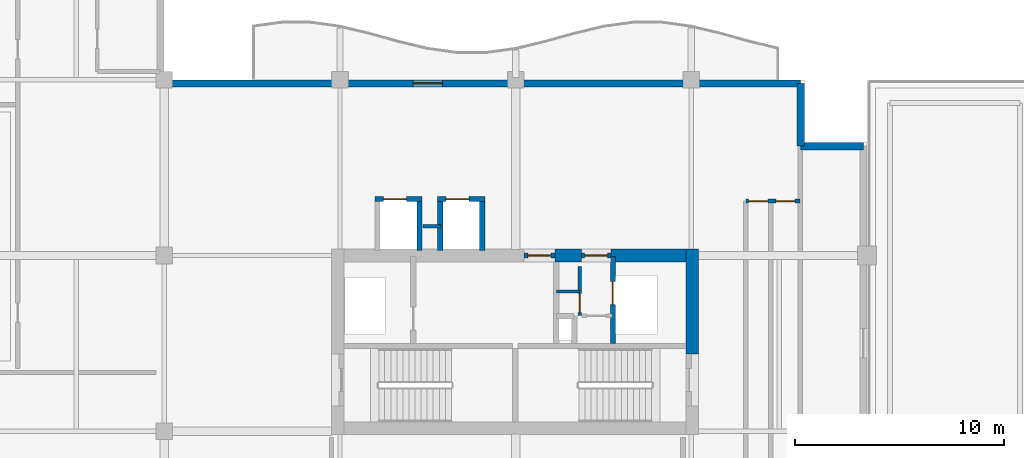
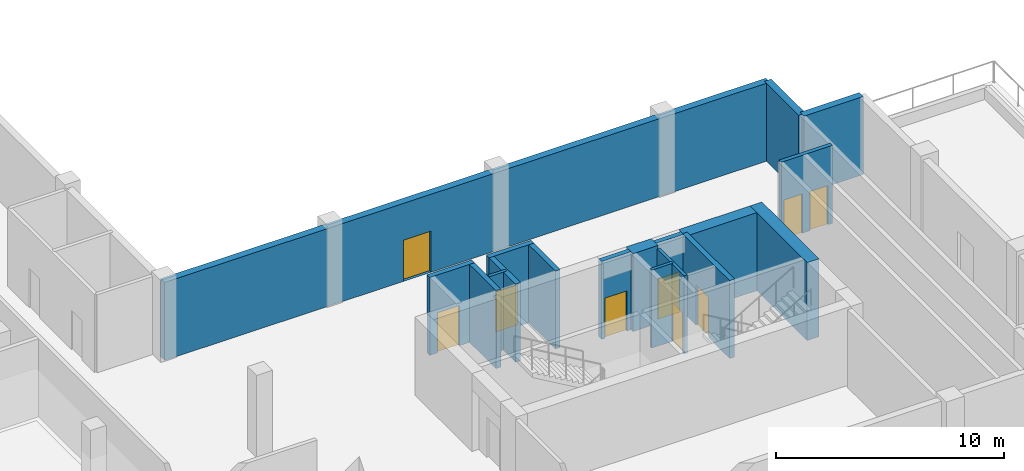
# One storey, part 7 of 16: 18 walls, 9 doors, 9 openings.
"""IFC4 building model written with IfcOpenShell, lengths in metres."""

from ifc_helpers import new_model, si_unit, direction, frame, frame_2d, origin, place, context, subcontext, project, spatial, rectangle, extrude, material, layer, layer_set, type_object, element, fill, save


model = new_model("IFC4")

# Units and contexts
model_context = context("Model", 3, precision=1e-05, world=origin(), true_north=direction((0.0, 1.0)))
body_context = subcontext(model_context, "Body", "Model", "MODEL_VIEW")
ifc_project = project(units=[si_unit("LENGTHUNIT", "METRE"), si_unit("AREAUNIT", "SQUARE_METRE"), si_unit("VOLUMEUNIT", "CUBIC_METRE"), si_unit("PLANEANGLEUNIT", "RADIAN"), si_unit("MASSUNIT", "GRAM", prefix="KILO")], contexts=[model_context])

# Site, building, storey
site_placement = place(None, origin())
site = spatial("IfcSite", under=ifc_project, at=site_placement, CompositionType="ELEMENT")
building_placement = place(site_placement, origin())
building = spatial("IfcBuilding", under=site, at=building_placement, Name="Koriwani Terraces Tower", CompositionType="ELEMENT")
storey_placement = place(building_placement, frame((0.0, 0.0, 286.0)))
storey = spatial("IfcBuildingStorey", under=building, at=storey_placement, Name="L71", CompositionType="ELEMENT", Elevation=286.0)

# Walls
ifc_material_1 = material(Name="Concrete C60/75", Category="concrete")
ifc_layer_1 = layer(ifc_material_1, 0.60009765625, Name="Concrete C60/75")
ifc_layer_set_1 = layer_set([ifc_layer_1], Name="Concrete C60/75")
wall_type_1 = type_object("IfcWallType", Name="WALL_CORE_RC_600", PredefinedType="SHEAR", material=ifc_layer_set_1)
wall_1_placement = place(storey_placement, frame((58.85009765625, 20.5, 0.0), z_axis=(0.0, 0.0, 1.0), x_axis=(0.0, 1.0, 0.0)))
element("IfcWall", 1, at=wall_1_placement, inside=storey, type_object=wall_type_1, Name="L71 East Split Core Shear Wall E2", PredefinedType="SHEAR", context=body_context, shape_type="SweptSolid", body=[
    extrude(rectangle(XDim=5.0, YDim=0.60009765625, at=frame_2d((2.5, 0.0))), origin(), (0.0, 0.0, 1.0), 4.169921875),
])
wall_2_placement = place(storey_placement, frame((52.280029296875, 25.199951171875, 0.0), z_axis=(0.0, 0.0, 1.0), x_axis=(1.0, 0.0, 0.0)))
element("IfcWall", 2, at=wall_2_placement, inside=storey, type_object=wall_type_1, Name="L71 East Split Core Shear Wall N2", PredefinedType="SHEAR", context=body_context, shape_type="SweptSolid", body=[
    extrude(rectangle(XDim=1.27001953125, YDim=0.60009765625, at=frame_2d((0.635009765625, 0.0))), origin(), (0.0, 0.0, 1.0), 4.169921875),
])
wall_3_placement = place(storey_placement, frame((54.949951171875, 25.199951171875, 0.0), z_axis=(0.0, 0.0, 1.0), x_axis=(1.0, 0.0, 0.0)))
element("IfcWall", 3, at=wall_3_placement, inside=storey, type_object=wall_type_1, Name="L71 East Split Core Shear Wall N3", PredefinedType="SHEAR", context=body_context, shape_type="SweptSolid", body=[
    extrude(rectangle(XDim=3.60009765625, YDim=0.60009765625, at=frame_2d((1.800048828125, 0.0))), origin(), (0.0, 0.0, 1.0), 4.169921875),
])

# Wall, openings, doors
ifc_material_2 = material(Name="Autoclaved Cellular Concrete Blockwork", Category="masonry")
ifc_layer_2 = layer(ifc_material_2, 0.199951171875, Name="Autoclaved Cellular Concrete Blockwork")
ifc_layer_set_2 = layer_set([ifc_layer_2], Name="Autoclaved Cellular Concrete Blockwork")
wall_type_2 = type_object("IfcWallType", Name="WALL_CORRIDOR_200", PredefinedType="PARTITIONING", material=ifc_layer_set_2)
wall_4_placement = place(storey_placement, frame((61.39990234375, 27.800048828125, 0.0), z_axis=(0.0, 0.0, 1.0), x_axis=(1.0, 0.0, 0.0)))
wall_4 = element("IfcWall", 4, at=wall_4_placement, inside=storey, type_object=wall_type_2, Name="L71 Interior Wall WSKY-E1-L71", PredefinedType="PARTITIONING", context=body_context, shape_type="SweptSolid", body=[
    extrude(rectangle(XDim=2.60009765625, YDim=0.199951171875, at=frame_2d((1.300048828125, 0.0))), origin(), (0.0, 0.0, 1.0), 4.169921875),
])
opening_1_placement = place(wall_4_placement, frame((0.139892578125, 0.0, 0.0)))
opening_1 = element("IfcOpeningElement", 5, at=opening_1_placement, cuts=wall_4, Name="Opening D-06", PredefinedType="OPENING", context=body_context, shape_type="SweptSolid", body=[
    extrude(rectangle(XDim=0.919921875, YDim=2.10009765625, at=frame_2d((0.4599609375, 1.050048828125))), frame((0.0, 0.10986328125, 0.0), z_axis=(0.0, -1.0, 0.0), x_axis=(1.0, 0.0, 0.0)), (0.0, 0.0, 1.0), 0.219970703125),
])
opening_2_placement = place(wall_4_placement, frame((1.43994140625, 0.0, 0.0)))
opening_2 = element("IfcOpeningElement", 6, at=opening_2_placement, cuts=wall_4, Name="Opening D-06", PredefinedType="OPENING", context=body_context, shape_type="SweptSolid", body=[
    extrude(rectangle(XDim=0.919921875, YDim=2.10009765625, at=frame_2d((0.4599609375, 1.050048828125))), frame((0.0, 0.10986328125, 0.0), z_axis=(0.0, -1.0, 0.0), x_axis=(1.0, 0.0, 0.0)), (0.0, 0.0, 1.0), 0.219970703125),
])
ifc_material_3 = material(Name="Architectural Oak Fire Door", Category="wood")
door_type_1 = type_object("IfcDoorType", Name="DOOR_ROOM_INT_920X2100", OperationType="NOTDEFINED", PredefinedType="DOOR", material=ifc_material_3)
door_1_placement = place(opening_1_placement, origin())
door_1 = element("IfcDoor", 7, at=door_1_placement, inside=storey, type_object=door_type_1, Name="L71 South Panorama Lounge Door", OperationType="SINGLE_SWING_LEFT", OverallHeight=2.10009765625, OverallWidth=0.919921875, PredefinedType="DOOR", context=body_context, shape_type="SweptSolid", body=[
    extrude(rectangle(XDim=0.919921875, YDim=2.10009765625, at=frame_2d((0.4599609375, 1.050048828125))), frame((0.0, 0.02490234375, 0.0), z_axis=(0.0, -1.0, 0.0), x_axis=(1.0, 0.0, 0.0)), (0.0, 0.0, 1.0), 0.050048828125),
])
fill(opening_1, door_1)
door_2_placement = place(opening_2_placement, origin())
door_2 = element("IfcDoor", 8, at=door_2_placement, inside=storey, type_object=door_type_1, Name="L71 Sky Garden Restaurant Door", OperationType="SINGLE_SWING_RIGHT", OverallHeight=2.10009765625, OverallWidth=0.919921875, PredefinedType="DOOR", context=body_context, shape_type="SweptSolid", body=[
    extrude(rectangle(XDim=0.919921875, YDim=2.10009765625, at=frame_2d((0.4599609375, 1.050048828125))), frame((0.0, 0.02490234375, 0.0), z_axis=(0.0, -1.0, 0.0), x_axis=(1.0, 0.0, 0.0)), (0.0, 0.0, 1.0), 0.050048828125),
])
fill(opening_2, door_2)

# Wall, opening, door
ifc_material_4 = material(Name="Concrete C50/60", Category="concrete")
ifc_layer_3 = layer(ifc_material_4, 0.35009765625, Name="Concrete C50/60")
ifc_layer_set_3 = layer_set([ifc_layer_3], Name="Concrete C50/60")
wall_type_3 = type_object("IfcWallType", Name="WALL_EXT_BRUTALIST_350", PredefinedType="STANDARD", material=ifc_layer_set_3)
wall_5_placement = place(storey_placement, frame((33.425048828125, 33.425048828125, 0.0), z_axis=(0.0, 0.0, 1.0), x_axis=(1.0, 0.0, 0.0)))
wall_5 = element("IfcWall", 9, at=wall_5_placement, inside=storey, type_object=wall_type_3, Name="L71 Fair-Faced Brutalist Exterior Wall (NE)", PredefinedType="STANDARD", context=body_context, shape_type="SweptSolid", body=[
    extrude(rectangle(XDim=30.599853515625, YDim=0.35009765625, at=frame_2d((15.2998046875, 0.0))), origin(), (0.0, 0.0, 1.0), 4.169921875),
])
opening_3_placement = place(wall_5_placement, frame((12.074951171875, 0.0, 0.0)))
opening_3 = element("IfcOpeningElement", 10, at=opening_3_placement, cuts=wall_5, Name="Opening D-09", PredefinedType="OPENING", context=body_context, shape_type="SweptSolid", body=[
    extrude(rectangle(XDim=1.39990234375, YDim=2.199951171875, at=frame_2d((0.699951171875, 1.10009765625))), frame((0.0, 0.18505859375, 0.0), z_axis=(0.0, -1.0, 0.0), x_axis=(1.0, 0.0, 0.0)), (0.0, 0.0, 1.0), 0.3701171875),
])
ifc_material_5 = material(Name="Anodised Bronze Aluminium", Category="aluminium")
door_type_2 = type_object("IfcDoorType", Name="DOOR_BALCONY_GLAZED_1400X2200", OperationType="NOTDEFINED", PredefinedType="DOOR", material=ifc_material_5)
door_3_placement = place(opening_3_placement, origin())
door_3 = element("IfcDoor", 11, at=door_3_placement, inside=storey, type_object=door_type_2, Name="L71 Inner Court Balcony Glazed Door", OperationType="SINGLE_SWING_LEFT", OverallHeight=2.199951171875, OverallWidth=1.39990234375, PredefinedType="DOOR", context=body_context, shape_type="SweptSolid", body=[
    extrude(rectangle(XDim=1.39990234375, YDim=2.199951171875, at=frame_2d((0.699951171875, 1.10009765625))), frame((0.0, 0.02490234375, 0.0), z_axis=(0.0, -1.0, 0.0), x_axis=(1.0, 0.0, 0.0)), (0.0, 0.0, 1.0), 0.050048828125),
])
fill(opening_3, door_3)

# Walls
for number, where, z_axis, x_axis, name in (
    (12, (64.02490234375, 33.425048828125, 0.0), (0.0, 0.0, 1.0), (0.0, -1.0, 0.0), "L71 Fair-Faced Brutalist Exterior Wall (N10)"),
    (13, (64.02490234375, 30.425048828125, 0.0), (0.0, 0.0, 1.0), (1.0, 0.0, 0.0), "L71 Fair-Faced Brutalist Exterior Wall (N11)"),
):
    element("IfcWall", number, at=place(storey_placement, frame(where, z_axis=z_axis, x_axis=x_axis)), inside=storey, type_object=wall_type_3, Name=name, PredefinedType="STANDARD", context=body_context, shape_type="SweptSolid", body=[
        extrude(rectangle(XDim=3.0, YDim=0.35009765625, at=frame_2d((1.5, 0.0))), origin(), (0.0, 0.0, 1.0), 4.169921875),
    ])

# Wall, opening, door
ifc_material_6 = material(Name="Concrete C40/50", Category="concrete")
ifc_layer_4 = layer(ifc_material_6, 0.25, Name="Concrete C40/50")
ifc_layer_set_4 = layer_set([ifc_layer_4], Name="Concrete C40/50")
wall_type_4 = type_object("IfcWallType", Name="WALL_SHAFT_RATED_250", PredefinedType="SOLIDWALL", material=ifc_layer_set_4)
wall_6_placement = place(storey_placement, frame((50.800048828125, 25.199951171875, 0.0), z_axis=(0.0, 0.0, 1.0), x_axis=(1.0, 0.0, 0.0)))
wall_6 = element("IfcWall", 14, at=wall_6_placement, inside=storey, type_object=wall_type_4, Name="L71 Interior Wall WIN-CE-L71-NP", PredefinedType="SOLIDWALL", context=body_context, shape_type="SweptSolid", body=[
    extrude(rectangle(XDim=1.47998046875, YDim=0.25, at=frame_2d((0.739990234375, 0.0))), origin(), (0.0, 0.0, 1.0), 4.169921875),
])
opening_4_placement = place(wall_6_placement, frame((0.179931640625, 0.0, 0.0)))
opening_4 = element("IfcOpeningElement", 15, at=opening_4_placement, cuts=wall_6, Name="Opening D-03", PredefinedType="OPENING", context=body_context, shape_type="SweptSolid", body=[
    extrude(rectangle(XDim=1.10009765625, YDim=2.14990234375, at=frame_2d((0.550048828125, 1.074951171875))), frame((0.0, 0.135009765625, 0.0), z_axis=(0.0, -1.0, 0.0), x_axis=(1.0, 0.0, 0.0)), (0.0, 0.0, 1.0), 0.27001953125),
])
ifc_material_7 = material(Name="Steel ASTM A572 Grade 50", Category="steel")
door_type_3 = type_object("IfcDoorType", Name="DOOR_STAIR_FIRE_1100X2150", OperationType="NOTDEFINED", PredefinedType="DOOR", material=ifc_material_7)
door_4_placement = place(opening_4_placement, origin())
door_4 = element("IfcDoor", 16, at=door_4_placement, inside=storey, type_object=door_type_3, Name="L71 East Firefighting Lobby Door", OperationType="SINGLE_SWING_RIGHT", OverallHeight=2.14990234375, OverallWidth=1.10009765625, PredefinedType="DOOR", context=body_context, shape_type="SweptSolid", body=[
    extrude(rectangle(XDim=1.10009765625, YDim=2.14990234375, at=frame_2d((0.550048828125, 1.074951171875))), frame((0.0, 0.02490234375, 0.0), z_axis=(0.0, -1.0, 0.0), x_axis=(1.0, 0.0, 0.0)), (0.0, 0.0, 1.0), 0.050048828125),
])
fill(opening_4, door_4)

wall_7_placement = place(storey_placement, frame((55.050048828125, 21.0, 0.0), z_axis=(0.0, 0.0, 1.0), x_axis=(0.0, 1.0, 0.0)))
wall_7 = element("IfcWall", 17, at=wall_7_placement, inside=storey, type_object=wall_type_4, Name="L71 Interior Wall WIN-CE-L71-SE", PredefinedType="SOLIDWALL", context=body_context, shape_type="SweptSolid", body=[
    extrude(rectangle(XDim=4.14990234375, YDim=0.25, at=frame_2d((2.074951171875, 0.0))), origin(), (0.0, 0.0, 1.0), 4.169921875),
])
opening_5_placement = place(wall_7_placement, frame((1.85009765625, 0.0, 0.0)))
opening_5 = element("IfcOpeningElement", 18, at=opening_5_placement, cuts=wall_7, Name="Opening LD-01", PredefinedType="OPENING", context=body_context, shape_type="SweptSolid", body=[
    extrude(rectangle(XDim=1.10009765625, YDim=2.14990234375, at=frame_2d((0.550048828125, 1.074951171875))), frame((0.0, 0.135009765625, 0.0), z_axis=(0.0, -1.0, 0.0), x_axis=(1.0, 0.0, 0.0)), (0.0, 0.0, 1.0), 0.27001953125),
])
door_type_4 = type_object("IfcDoorType", Name="DOOR_LIFT_LANDING_1100X2200", OperationType="NOTDEFINED", PredefinedType="DOOR", material=ifc_material_7)
door_5_placement = place(opening_5_placement, origin())
door_5 = element("IfcDoor", 19, at=door_5_placement, inside=storey, type_object=door_type_4, Name="L71 Goods Lift SE-02 Landing Door", OperationType="SLIDING_TO_LEFT", OverallHeight=2.14990234375, OverallWidth=1.10009765625, PredefinedType="DOOR", context=body_context, shape_type="SweptSolid", body=[
    extrude(rectangle(XDim=1.10009765625, YDim=2.14990234375, at=frame_2d((0.550048828125, 1.074951171875))), frame((0.0, 0.02490234375, 0.0), z_axis=(0.0, -1.0, 0.0), x_axis=(1.0, 0.0, 0.0)), (0.0, 0.0, 1.0), 0.050048828125),
])
fill(opening_5, door_5)

wall_8_placement = place(storey_placement, frame((53.550048828125, 25.199951171875, 0.0), z_axis=(0.0, 0.0, 1.0), x_axis=(1.0, 0.0, 0.0)))
wall_8 = element("IfcWall", 20, at=wall_8_placement, inside=storey, type_object=wall_type_4, Name="L71 Interior Wall WIN-CE-L71-NP2", PredefinedType="SOLIDWALL", context=body_context, shape_type="SweptSolid", body=[
    extrude(rectangle(XDim=1.39990234375, YDim=0.25, at=frame_2d((0.699951171875, 0.0))), origin(), (0.0, 0.0, 1.0), 4.169921875),
])
opening_6_placement = place(wall_8_placement, frame((0.14990234375, 0.0, 0.0)))
opening_6 = element("IfcOpeningElement", 21, at=opening_6_placement, cuts=wall_8, Name="Opening D-03", PredefinedType="OPENING", context=body_context, shape_type="SweptSolid", body=[
    extrude(rectangle(XDim=1.10009765625, YDim=2.14990234375, at=frame_2d((0.550048828125, 1.074951171875))), frame((0.0, 0.135009765625, 0.0), z_axis=(0.0, -1.0, 0.0), x_axis=(1.0, 0.0, 0.0)), (0.0, 0.0, 1.0), 0.27001953125),
])
door_6_placement = place(opening_6_placement, origin())
door_6 = element("IfcDoor", 22, at=door_6_placement, inside=storey, type_object=door_type_3, Name="L71 East Goods Lift Lobby Door", OperationType="SINGLE_SWING_LEFT", OverallHeight=2.14990234375, OverallWidth=1.10009765625, PredefinedType="DOOR", context=body_context, shape_type="SweptSolid", body=[
    extrude(rectangle(XDim=1.10009765625, YDim=2.14990234375, at=frame_2d((0.550048828125, 1.074951171875))), frame((0.0, 0.02490234375, 0.0), z_axis=(0.0, -1.0, 0.0), x_axis=(1.0, 0.0, 0.0)), (0.0, 0.0, 1.0), 0.050048828125),
])
fill(opening_6, door_6)

wall_9_placement = place(storey_placement, frame((43.675048828125, 27.89990234375, 0.0), z_axis=(0.0, 0.0, 1.0), x_axis=(1.0, 0.0, 0.0)))
wall_9 = element("IfcWall", 23, at=wall_9_placement, inside=storey, type_object=wall_type_4, Name="L71 Interior Wall WIN-LF-PE-H3-L71-F", PredefinedType="SOLIDWALL", context=body_context, shape_type="SweptSolid", body=[
    extrude(rectangle(XDim=2.25, YDim=0.25, at=frame_2d((1.125, 0.0))), origin(), (0.0, 0.0, 1.0), 4.169921875),
])
opening_7_placement = place(wall_9_placement, frame((0.39990234375, 0.0, 0.0)))
opening_7 = element("IfcOpeningElement", 24, at=opening_7_placement, cuts=wall_9, Name="Opening LD-01", PredefinedType="OPENING", context=body_context, shape_type="SweptSolid", body=[
    extrude(rectangle(XDim=1.10009765625, YDim=2.14990234375, at=frame_2d((0.550048828125, 1.074951171875))), frame((0.0, 0.135009765625, 0.0), z_axis=(0.0, -1.0, 0.0), x_axis=(1.0, 0.0, 0.0)), (0.0, 0.0, 1.0), 0.27001953125),
])
door_7_placement = place(opening_7_placement, origin())
door_7 = element("IfcDoor", 25, at=door_7_placement, inside=storey, type_object=door_type_4, Name="L71 Passenger Lift PE-H3 Landing Door", OperationType="SLIDING_TO_LEFT", OverallHeight=2.14990234375, OverallWidth=1.10009765625, PredefinedType="DOOR", context=body_context, shape_type="SweptSolid", body=[
    extrude(rectangle(XDim=1.10009765625, YDim=2.14990234375, at=frame_2d((0.550048828125, 1.074951171875))), frame((0.0, 0.02490234375, 0.0), z_axis=(0.0, -1.0, 0.0), x_axis=(1.0, 0.0, 0.0)), (0.0, 0.0, 1.0), 0.050048828125),
])
fill(opening_7, door_7)

# Wall
wall_10_placement = place(storey_placement, frame((45.800048828125, 25.449951171875, 0.0), z_axis=(0.0, 0.0, 1.0), x_axis=(0.0, 1.0, 0.0)))
element("IfcWall", 26, at=wall_10_placement, inside=storey, type_object=wall_type_4, Name="L71 Interior Wall WIN-LF-PE-H3-L71-E", PredefinedType="SOLIDWALL", context=body_context, shape_type="SweptSolid", body=[
    extrude(rectangle(XDim=2.324951171875, YDim=0.25, at=frame_2d((1.16259765625, 0.0))), origin(), (0.0, 0.0, 1.0), 4.169921875),
])

# Wall, opening, door
wall_11_placement = place(storey_placement, frame((46.675048828125, 27.89990234375, 0.0), z_axis=(0.0, 0.0, 1.0), x_axis=(1.0, 0.0, 0.0)))
wall_11 = element("IfcWall", 27, at=wall_11_placement, inside=storey, type_object=wall_type_4, Name="L71 Interior Wall WIN-LF-PE-H4-L71-F", PredefinedType="SOLIDWALL", context=body_context, shape_type="SweptSolid", body=[
    extrude(rectangle(XDim=2.25, YDim=0.25, at=frame_2d((1.125, 0.0))), origin(), (0.0, 0.0, 1.0), 4.169921875),
])
opening_8_placement = place(wall_11_placement, frame((0.39990234375, 0.0, 0.0)))
opening_8 = element("IfcOpeningElement", 28, at=opening_8_placement, cuts=wall_11, Name="Opening LD-01", PredefinedType="OPENING", context=body_context, shape_type="SweptSolid", body=[
    extrude(rectangle(XDim=1.10009765625, YDim=2.14990234375, at=frame_2d((0.550048828125, 1.074951171875))), frame((0.0, 0.135009765625, 0.0), z_axis=(0.0, -1.0, 0.0), x_axis=(1.0, 0.0, 0.0)), (0.0, 0.0, 1.0), 0.27001953125),
])
door_8_placement = place(opening_8_placement, origin())
door_8 = element("IfcDoor", 29, at=door_8_placement, inside=storey, type_object=door_type_4, Name="L71 Passenger Lift PE-H4 Landing Door", OperationType="SLIDING_TO_LEFT", OverallHeight=2.14990234375, OverallWidth=1.10009765625, PredefinedType="DOOR", context=body_context, shape_type="SweptSolid", body=[
    extrude(rectangle(XDim=1.10009765625, YDim=2.14990234375, at=frame_2d((0.550048828125, 1.074951171875))), frame((0.0, 0.02490234375, 0.0), z_axis=(0.0, -1.0, 0.0), x_axis=(1.0, 0.0, 0.0)), (0.0, 0.0, 1.0), 0.050048828125),
])
fill(opening_8, door_8)

# Walls
for number, where, z_axis, x_axis, name in (
    (30, (46.800048828125, 25.449951171875, 0.0), (0.0, 0.0, 1.0), (0.0, 1.0, 0.0), "L71 Interior Wall WIN-LF-PE-H4-L71-W"),
    (31, (48.800048828125, 25.449951171875, 0.0), (0.0, 0.0, 1.0), (0.0, 1.0, 0.0), "L71 Interior Wall WIN-LF-PE-H4-L71-E"),
):
    element("IfcWall", number, at=place(storey_placement, frame(where, z_axis=z_axis, x_axis=x_axis)), inside=storey, type_object=wall_type_4, Name=name, PredefinedType="SOLIDWALL", context=body_context, shape_type="SweptSolid", body=[
        extrude(rectangle(XDim=2.324951171875, YDim=0.25, at=frame_2d((1.16259765625, 0.0))), origin(), (0.0, 0.0, 1.0), 4.169921875),
    ])

# Wall, opening, door
ifc_material_8 = material(Name="Fire-Rated Acoustic Gypsum Partition", Category="masonry")
ifc_layer_5 = layer(ifc_material_8, 0.159912109375, Name="Fire-Rated Acoustic Gypsum Partition")
ifc_layer_set_5 = layer_set([ifc_layer_5], Name="Fire-Rated Acoustic Gypsum Partition")
wall_type_5 = type_object("IfcWallType", Name="WALL_SUITE_160", PredefinedType="PARTITIONING", material=ifc_layer_set_5)
wall_12_placement = place(storey_placement, frame((53.4599609375, 22.320068359375, 0.0), z_axis=(0.0, 0.0, 1.0), x_axis=(0.0, 1.0, 0.0)))
wall_12 = element("IfcWall", 32, at=wall_12_placement, inside=storey, type_object=wall_type_5, Name="L71 Interior Wall WIN-CE-L71-SV2H", PredefinedType="PARTITIONING", context=body_context, shape_type="SweptSolid", body=[
    extrude(rectangle(XDim=2.35986328125, YDim=0.159912109375, at=frame_2d((1.179931640625, 0.0))), origin(), (0.0, 0.0, 1.0), 4.169921875),
])
opening_9_placement = place(wall_12_placement, frame((0.159912109375, 0.0, 0.0)))
opening_9 = element("IfcOpeningElement", 33, at=opening_9_placement, cuts=wall_12, Name="Opening D-07", PredefinedType="OPENING", context=body_context, shape_type="SweptSolid", body=[
    extrude(rectangle(XDim=0.89990234375, YDim=2.10009765625, at=frame_2d((0.449951171875, 1.050048828125))), frame((0.0, 0.08984375, 0.0), z_axis=(0.0, -1.0, 0.0), x_axis=(1.0, 0.0, 0.0)), (0.0, 0.0, 1.0), 0.179931640625),
])
door_type_5 = type_object("IfcDoorType", Name="DOOR_BATH_INT_900X2100", OperationType="NOTDEFINED", PredefinedType="DOOR", material=ifc_material_3)
door_9_placement = place(opening_9_placement, origin())
door_9 = element("IfcDoor", 34, at=door_9_placement, inside=storey, type_object=door_type_5, Name="L71 East Valve Room Door", OperationType="SINGLE_SWING_LEFT", OverallHeight=2.10009765625, OverallWidth=0.89990234375, PredefinedType="DOOR", context=body_context, shape_type="SweptSolid", body=[
    extrude(rectangle(XDim=0.89990234375, YDim=2.10009765625, at=frame_2d((0.449951171875, 1.050048828125))), frame((0.0, 0.02490234375, 0.0), z_axis=(0.0, -1.0, 0.0), x_axis=(1.0, 0.0, 0.0)), (0.0, 0.0, 1.0), 0.050048828125),
])
fill(opening_9, door_9)

# Walls
wall_13_placement = place(storey_placement, frame((52.360107421875, 23.47998046875, 0.0), z_axis=(0.0, 0.0, 1.0), x_axis=(1.0, 0.0, 0.0)))
element("IfcWall", 35, at=wall_13_placement, inside=storey, type_object=wall_type_5, Name="L71 Interior Wall WIN-CE-L71-SV2V", PredefinedType="PARTITIONING", context=body_context, shape_type="SweptSolid", body=[
    extrude(rectangle(XDim=1.099853515625, YDim=0.159912109375, at=frame_2d((0.5498046875, 0.0))), origin(), (0.0, 0.0, 1.0), 4.169921875),
])
wall_14_placement = place(storey_placement, frame((45.9599609375, 26.60009765625, 0.0), z_axis=(0.0, 0.0, 1.0), x_axis=(1.0, 0.0, 0.0)))
element("IfcWall", 36, at=wall_14_placement, inside=storey, type_object=wall_type_5, Name="L71 Interior Wall WIN-LF-PEH34-MID-L71", PredefinedType="PARTITIONING", context=body_context, shape_type="SweptSolid", body=[
    extrude(rectangle(XDim=0.880126953125, YDim=0.159912109375, at=frame_2d((0.43994140625, 0.0))), origin(), (0.0, 0.0, 1.0), 4.169921875),
])

save(model, "model.ifc")
